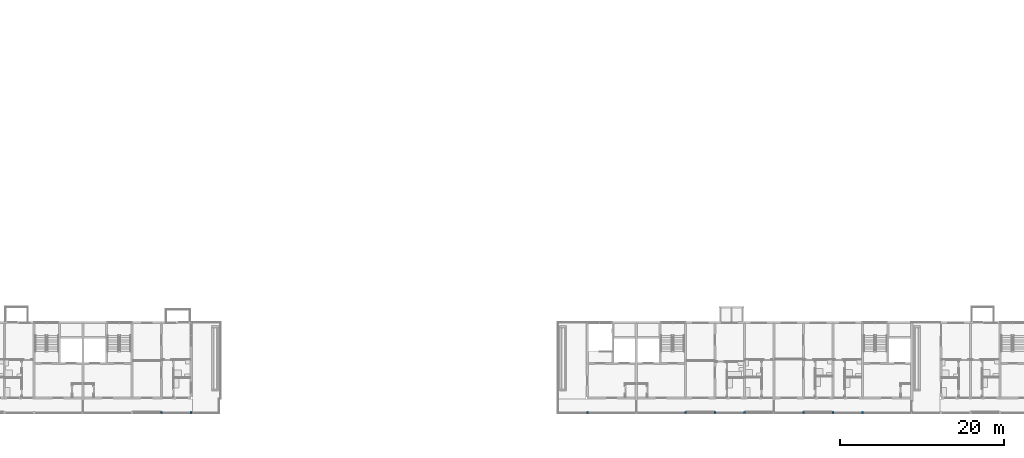
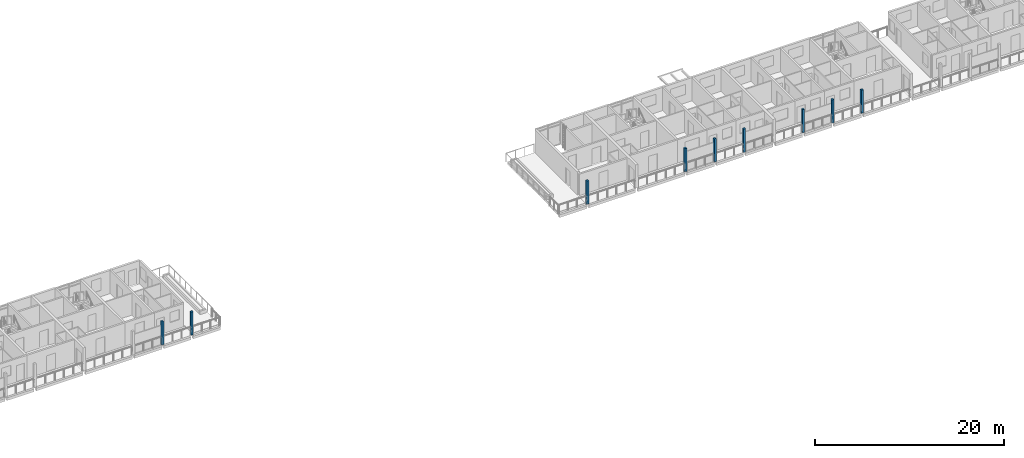
# One storey, part 2 of 64: 9 columns.
"""IFC4 building model written with IfcOpenShell, lengths in metres."""

from ifc_helpers import new_model, si_unit, direction, frame, origin, origin_2d, place, context, subcontext, project, spatial, rectangle, extrude, material, material_profile, profile_set, type_object, element, save


model = new_model("IFC4")

# Units and contexts
model_context = context("Model", 3, precision=1e-05, world=origin(), true_north=direction((0.0, 1.0)))
body_context = subcontext(model_context, "Body", "Model", "MODEL_VIEW")
ifc_project = project(units=[si_unit("LENGTHUNIT", "METRE"), si_unit("AREAUNIT", "SQUARE_METRE"), si_unit("VOLUMEUNIT", "CUBIC_METRE"), si_unit("PLANEANGLEUNIT", "RADIAN"), si_unit("MASSUNIT", "GRAM", prefix="KILO")], contexts=[model_context])

# Site, building, storey
site_placement = place(None, origin())
site = spatial("IfcSite", under=ifc_project, at=site_placement, CompositionType="ELEMENT")
building_placement = place(site_placement, origin())
building = spatial("IfcBuilding", under=site, at=building_placement, Name="Ridgestep Commons", CompositionType="ELEMENT")
storey_placement = place(building_placement, frame((0.0, 0.0, 33.0)))
storey = spatial("IfcBuildingStorey", under=building, at=storey_placement, Name="L11", CompositionType="ELEMENT", Elevation=33.0)

# Columns
ifc_material = material(Name="Precast concrete C40/50", Category="concrete")
ifc_material_profile = material_profile(ifc_material, rectangle(XDim=0.25, YDim=0.25, at=origin_2d()), Name="PC 250x250")
ifc_profile_set = profile_set([ifc_material_profile], Name="Precast concrete C40/50")
column_type = type_object("IfcColumnType", Name="Loggia column 250 x 250", PredefinedType="COLUMN", material=ifc_profile_set)
for number, where, z_axis, x_axis, name in (
    (1, (105.60009765625, 11.875, 0.0), (0.0, 0.0, 1.0), (1.0, 0.0, 0.0), "Loggia column A L11"),
    (2, (109.199951171875, 11.875, 0.0), (0.0, 0.0, 1.0), (1.0, 0.0, 0.0), "Loggia column A L11"),
    (3, (157.60009765625, 11.875, 0.0), (0.0, 0.0, 1.0), (1.0, 0.0, 0.0), "Loggia column D L11"),
    (4, (169.60009765625, 11.875, 0.0), (0.0, 0.0, 1.0), (1.0, 0.0, 0.0), "Loggia column D L11"),
    (5, (173.199951171875, 11.875, 0.0), (0.0, 0.0, 1.0), (1.0, 0.0, 0.0), "Loggia column D L11"),
    (6, (176.800048828125, 11.875, 0.0), (0.0, 0.0, 1.0), (1.0, 0.0, 0.0), "Loggia column D L11"),
    (7, (184.0, 11.875, 0.0), (0.0, 0.0, 1.0), (1.0, 0.0, 0.0), "Loggia column D L11"),
    (8, (187.60009765625, 11.875, 0.0), (0.0, 0.0, 1.0), (1.0, 0.0, 0.0), "Loggia column D L11"),
    (9, (191.199951171875, 11.875, 0.0), (0.0, 0.0, 1.0), (1.0, 0.0, 0.0), "Loggia column D L11"),
):
    element("IfcColumn", number, at=place(storey_placement, frame(where, z_axis=z_axis, x_axis=x_axis)), inside=storey, type_object=column_type, Name=name, PredefinedType="COLUMN", context=body_context, shape_type="SweptSolid", body=[
        extrude(rectangle(XDim=0.25, YDim=0.25, at=origin_2d()), origin(), (0.0, 0.0, 1.0), 3.0),
    ])

save(model, "model.ifc")
